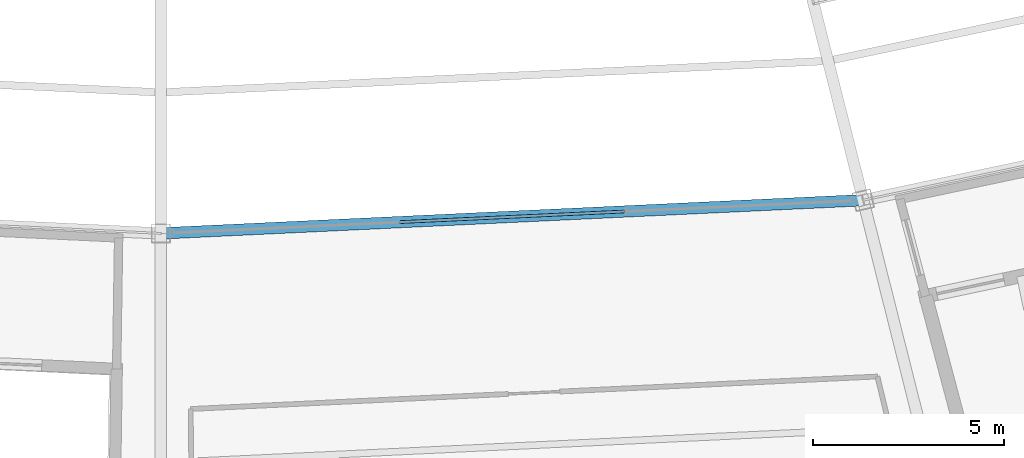
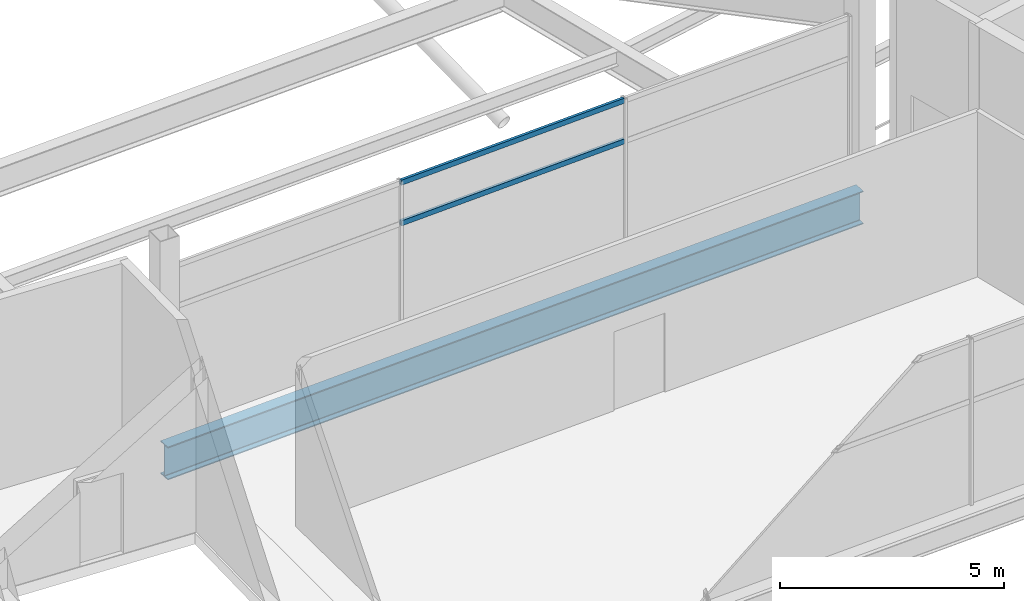
# One storey, part 38 of 186: 2 members, 1 beam, 1 element without a shape of its own.
"""IFC4 building model written with IfcOpenShell, lengths in metres."""

from ifc_helpers import new_model, si_unit, direction, frame, origin, origin_2d, place, context, subcontext, project, spatial, hollow_rectangle, i_section, extrude, material, layer, layer_set, material_profile, profile_set, type_object, element, aggregate, save


model = new_model("IFC4")

# Units and contexts
model_context = context("Model", 3, precision=1e-05, world=origin(), true_north=direction((0.0, 1.0)))
body_context = subcontext(model_context, "Body", "Model", "MODEL_VIEW")
ifc_project = project(units=[si_unit("LENGTHUNIT", "METRE"), si_unit("AREAUNIT", "SQUARE_METRE"), si_unit("VOLUMEUNIT", "CUBIC_METRE"), si_unit("PLANEANGLEUNIT", "RADIAN"), si_unit("MASSUNIT", "GRAM", prefix="KILO")], contexts=[model_context])

# Site, building, storey
site_placement = place(None, origin())
site = spatial("IfcSite", under=ifc_project, at=site_placement, CompositionType="ELEMENT")
building_placement = place(site_placement, origin())
building = spatial("IfcBuilding", under=site, at=building_placement, Name="Kazemori Nagisa Stadium", CompositionType="ELEMENT")
storey_placement = place(building_placement, frame((0.0, 0.0, 20.39990234375)))
storey = spatial("IfcBuildingStorey", under=building, at=storey_placement, Name="L04", CompositionType="ELEMENT", Elevation=20.39990234375)

# Beam
ifc_material_1 = material(Name="Steel SN490B", Category="steel")
ifc_material_profile_1 = material_profile(ifc_material_1, i_section(OverallWidth=0.300048828125, OverallDepth=0.89990234375, WebThickness=0.01611328125, FlangeThickness=0.028076171875, FilletRadius=0.01806640625, at=origin_2d()), Name="H-900x300x16x28")
ifc_profile_set_1 = profile_set([ifc_material_profile_1], Name="Steel SN490B")
beam_type = type_object("IfcBeamType", Name="Beam_BG-H900", PredefinedType="BEAM", material=ifc_profile_set_1)
beam_placement = place(storey_placement, frame((123.0, 28.0400390625, -0.75), z_axis=(0.9988839804, 0.047231278829, 0.0), x_axis=(-0.047231278829, 0.9988839804, 0.0)))
element("IfcBeam", 1, at=beam_placement, inside=storey, type_object=beam_type, Name="Ring girder BG-H900 L04 R2-22", PredefinedType="BEAM", context=body_context, shape_type="SweptSolid", body=[
    extrude(i_section(OverallWidth=0.300048828125, OverallDepth=0.89990234375, WebThickness=0.01611328125, FlangeThickness=0.028076171875, FilletRadius=0.01806640625, at=origin_2d()), origin(), (0.0, 0.0, 1.0), 18.4482421875),
])

# Curtain wall, members
ifc_material_2 = material(Name="Anodised aluminium 6063-T5", Category="aluminium")
ifc_layer = layer(ifc_material_2, 0.179931640625, Name="Anodised aluminium 6063-T5", Category="aluminium")
ifc_layer_set = layer_set([ifc_layer], Name="Anodised aluminium 6063-T5")
curtain_wall_type = type_object("IfcCurtainWallType", Name="CW_L04B_90", PredefinedType="USERDEFINED", material=ifc_layer_set)
curtain_wall_placement = place(storey_placement, origin())
curtain_wall = element("IfcCurtainWall", 2, at=curtain_wall_placement, inside=storey, type_object=curtain_wall_type, Name="Unitised curtain wall CW-L04B-90 L04", ObjectType="UNITISED CURTAIN WALL", PredefinedType="USERDEFINED")
ifc_material_3 = material(Name="Aluminium 6063-T5 anodised", Category="aluminium")
ifc_material_profile_2 = material_profile(ifc_material_3, hollow_rectangle(XDim=0.070068359375, YDim=0.139892578125, WallThickness=0.00390625, at=origin_2d()), Name="ALU-TRAN-70x140x4")
ifc_profile_set_2 = profile_set([ifc_material_profile_2], Name="Aluminium 6063-T5 anodised")
member_type = type_object("IfcMemberType", Name="Transom_T01", PredefinedType="USERDEFINED", material=ifc_profile_set_2)
member_1_placement = place(storey_placement, frame((129.2607421875, 28.3359375, 3.352294921875), z_axis=(0.99888377723, 0.047235575444, 0.0), x_axis=(-0.047235575444, 0.99888377723, 0.0)))
member_1 = element("IfcMember", 3, at=member_1_placement, type_object=member_type, Name="Curtain wall transom CW-L04B-90-T2-mid", ObjectType="TRANSOM", PredefinedType="USERDEFINED", context=body_context, shape_type="SweptSolid", body=[
    extrude(hollow_rectangle(XDim=0.070068359375, YDim=0.139892578125, WallThickness=0.00390625, at=origin_2d()), origin(), (0.0, 0.0, 1.0), 5.912841796875),
])
member_2_placement = place(storey_placement, frame((129.2607421875, 28.3359375, 4.460205078125), z_axis=(0.99888377723, 0.047235575444, 0.0), x_axis=(-0.047235575444, 0.99888377723, 0.0)))
member_2 = element("IfcMember", 4, at=member_2_placement, type_object=member_type, Name="Curtain wall transom CW-L04B-90-T2-head", ObjectType="TRANSOM", PredefinedType="USERDEFINED", context=body_context, shape_type="SweptSolid", body=[
    extrude(hollow_rectangle(XDim=0.070068359375, YDim=0.139892578125, WallThickness=0.00390625, at=origin_2d()), origin(), (0.0, 0.0, 1.0), 5.912841796875),
])
aggregate(curtain_wall, [member_1, member_2])

save(model, "model.ifc")
